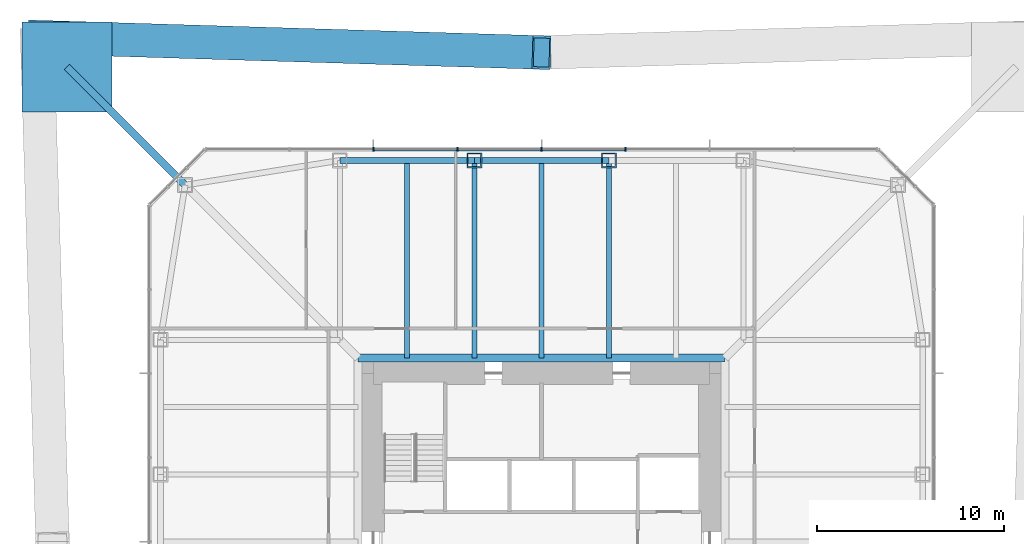
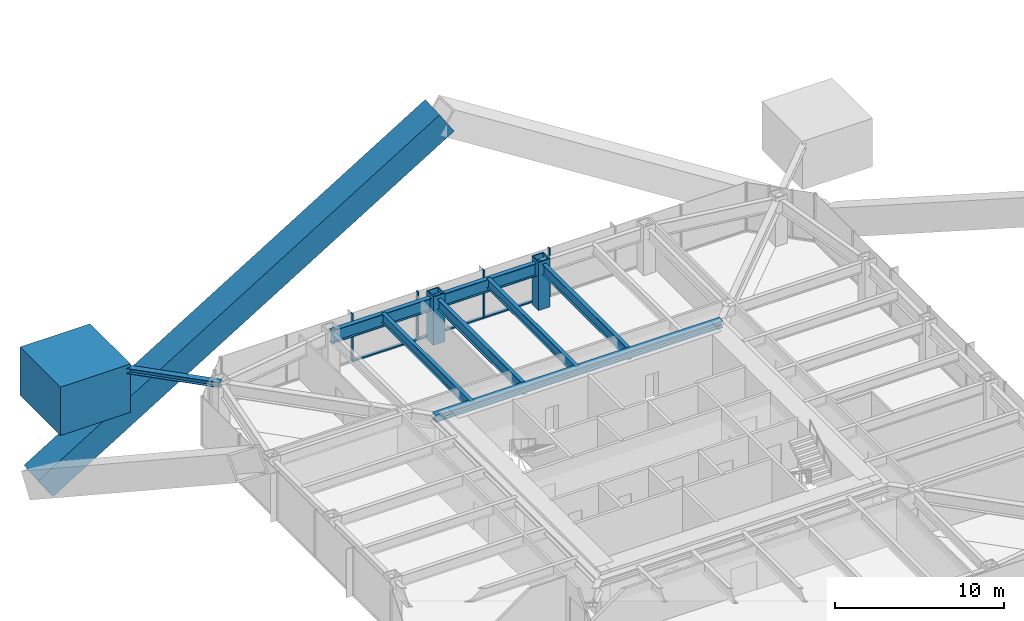
# One storey, part 5 of 21: 12 members, 7 beams, 1 element without a shape of its own.
"""IFC4 building model written with IfcOpenShell, lengths in metres."""

from ifc_helpers import new_model, si_unit, direction, frame, origin, origin_2d, place, context, subcontext, project, spatial, rectangle, hollow_rectangle, i_section, extrude, material, material_profile, profile_set, type_object, element, aggregate, save


model = new_model("IFC4")

# Units and contexts
model_context = context("Model", 3, precision=1e-05, world=origin(), true_north=direction((0.0, 1.0)))
body_context = subcontext(model_context, "Body", "Model", "MODEL_VIEW")
ifc_project = project(units=[si_unit("LENGTHUNIT", "METRE"), si_unit("AREAUNIT", "SQUARE_METRE"), si_unit("VOLUMEUNIT", "CUBIC_METRE"), si_unit("PLANEANGLEUNIT", "RADIAN"), si_unit("MASSUNIT", "GRAM", prefix="KILO")], contexts=[model_context])

# Site, building, storey
site_placement = place(None, origin())
site = spatial("IfcSite", under=ifc_project, at=site_placement, CompositionType="ELEMENT")
building_placement = place(site_placement, origin())
building = spatial("IfcBuilding", under=site, at=building_placement, Name="Iwan Alto Co-Living Towers", CompositionType="ELEMENT")
storey_placement = place(building_placement, frame((0.0, 0.0, 80.5)))
storey = spatial("IfcBuildingStorey", under=building, at=storey_placement, Name="L21", CompositionType="ELEMENT", Elevation=80.5)

# Curtain wall, members
ifc_material_1 = material(Name="Bronze aluminium unitised frame", Category="aluminium")
curtain_wall_type = type_object("IfcCurtainWallType", Name="CURTAIN WALL CW-A", PredefinedType="NOTDEFINED", material=ifc_material_1)
curtain_wall_placement = place(storey_placement, origin())
curtain_wall = element("IfcCurtainWall", 1, at=curtain_wall_placement, inside=storey, type_object=curtain_wall_type, Name="T1 curtain wall N L21", PredefinedType="NOTDEFINED")
ifc_material_2 = material(Name="Aluminium 6063-T6 bronze anodised", Category="aluminium")
ifc_material_profile_1 = material_profile(ifc_material_2, rectangle(XDim=0.199951171875, YDim=0.080078125, at=origin_2d()), Name="AL 80X200")
ifc_profile_set_1 = profile_set([ifc_material_profile_1], Name="Aluminium 6063-T6 bronze anodised")
member_type_1 = type_object("IfcMemberType", Name="CW-A MULLION 80X200", PredefinedType="MULLION", material=ifc_profile_set_1)
member_1_placement = place(storey_placement, frame((4.5, 21.0, 0.0), z_axis=(0.0, 0.0, 1.0), x_axis=(0.0, -1.0, 0.0)))
member_1 = element("IfcMember", 2, at=member_1_placement, type_object=member_type_1, Name="CW-A mullion 4", PredefinedType="MULLION", context=body_context, shape_type="SweptSolid", body=[
    extrude(rectangle(XDim=0.199951171875, YDim=0.080078125, at=origin_2d()), origin(), (0.0, 0.0, 1.0), 3.5),
])
member_2_placement = place(storey_placement, frame((0.0, 21.0, 0.0), z_axis=(0.0, 0.0, 1.0), x_axis=(0.0, -1.0, 0.0)))
member_2 = element("IfcMember", 3, at=member_2_placement, type_object=member_type_1, Name="CW-A mullion 5", PredefinedType="MULLION", context=body_context, shape_type="SweptSolid", body=[
    extrude(rectangle(XDim=0.199951171875, YDim=0.080078125, at=origin_2d()), origin(), (0.0, 0.0, 1.0), 3.5),
])
member_3_placement = place(storey_placement, frame((-4.5, 21.0, 0.0), z_axis=(0.0, 0.0, 1.0), x_axis=(0.0, -1.0, 0.0)))
member_3 = element("IfcMember", 4, at=member_3_placement, type_object=member_type_1, Name="CW-A mullion 6", PredefinedType="MULLION", context=body_context, shape_type="SweptSolid", body=[
    extrude(rectangle(XDim=0.199951171875, YDim=0.080078125, at=origin_2d()), origin(), (0.0, 0.0, 1.0), 3.5),
])
member_4_placement = place(storey_placement, frame((-9.0, 21.0, 0.0), z_axis=(0.0, 0.0, 1.0), x_axis=(0.0, -1.0, 0.0)))
member_4 = element("IfcMember", 5, at=member_4_placement, type_object=member_type_1, Name="CW-A mullion 7", PredefinedType="MULLION", context=body_context, shape_type="SweptSolid", body=[
    extrude(rectangle(XDim=0.199951171875, YDim=0.080078125, at=origin_2d()), origin(), (0.0, 0.0, 1.0), 3.5),
])
ifc_material_3 = material(Name="Aluminium 6063-T6 bronze anodised", Category="aluminium")
ifc_material_profile_2 = material_profile(ifc_material_3, rectangle(XDim=0.199951171875, YDim=0.10009765625, at=origin_2d()), Name="AL 200X100")
ifc_profile_set_2 = profile_set([ifc_material_profile_2], Name="Aluminium 6063-T6 bronze anodised")
member_type_2 = type_object("IfcMemberType", Name="CW-A TRANSOM 200X100", PredefinedType="USERDEFINED", material=ifc_profile_set_2)
member_5_placement = place(storey_placement, frame((4.4599609375, 21.0, 0.050048828125), z_axis=(-1.0, 0.0, 0.0), x_axis=(0.0, -1.0, 0.0)))
member_5 = element("IfcMember", 6, at=member_5_placement, type_object=member_type_2, Name="CW-A transom 4.1", ObjectType="TRANSOM", PredefinedType="USERDEFINED", context=body_context, shape_type="SweptSolid", body=[
    extrude(rectangle(XDim=0.199951171875, YDim=0.10009765625, at=origin_2d()), origin(), (0.0, 0.0, 1.0), 4.419921875),
])
member_6_placement = place(storey_placement, frame((-0.0400390625, 21.0, 0.050048828125), z_axis=(-1.0, 0.0, 0.0), x_axis=(0.0, -1.0, 0.0)))
member_6 = element("IfcMember", 7, at=member_6_placement, type_object=member_type_2, Name="CW-A transom 5.1", ObjectType="TRANSOM", PredefinedType="USERDEFINED", context=body_context, shape_type="SweptSolid", body=[
    extrude(rectangle(XDim=0.199951171875, YDim=0.10009765625, at=origin_2d()), origin(), (0.0, 0.0, 1.0), 4.419921875),
])
member_7_placement = place(storey_placement, frame((-4.5400390625, 21.0, 0.050048828125), z_axis=(-1.0, 0.0, 0.0), x_axis=(0.0, -1.0, 0.0)))
member_7 = element("IfcMember", 8, at=member_7_placement, type_object=member_type_2, Name="CW-A transom 6.1", ObjectType="TRANSOM", PredefinedType="USERDEFINED", context=body_context, shape_type="SweptSolid", body=[
    extrude(rectangle(XDim=0.199951171875, YDim=0.10009765625, at=origin_2d()), origin(), (0.0, 0.0, 1.0), 4.419921875),
])
aggregate(curtain_wall, [member_1, member_2, member_3, member_4, member_5, member_6, member_7])

# Beams
ifc_material_4 = material(Name="Steel ASTM A992 Gr 50", Category="steel")
ifc_material_profile_3 = material_profile(ifc_material_4, i_section(OverallWidth=0.436767578125, OverallDepth=0.51318359375, WebThickness=0.060546875, FlangeThickness=0.096923828125, at=origin_2d()), Name="W14X550")
ifc_profile_set_3 = profile_set([ifc_material_profile_3], Name="Steel ASTM A992 Gr 50")
beam_type_1 = type_object("IfcBeamType", Name="T1 CORE LEDGER BEAM W14X550", PredefinedType="BEAM", material=ifc_profile_set_3)
beam_1_placement = place(storey_placement, frame((9.818359375, 9.818359375, 3.013427734375), z_axis=(-1.0, 0.0, 0.0), x_axis=(0.0, -1.0, 0.0)))
element("IfcBeam", 9, at=beam_1_placement, inside=storey, type_object=beam_type_1, Name="T1 core ledger beam N L22", PredefinedType="BEAM", context=body_context, shape_type="SweptSolid", body=[
    extrude(i_section(OverallWidth=0.436767578125, OverallDepth=0.51318359375, WebThickness=0.060546875, FlangeThickness=0.096923828125, at=origin_2d()), origin(), (0.0, 0.0, 1.0), 19.63671875),
])
ifc_material_5 = material(Name="Steel ASTM A992 Gr 50", Category="steel")
ifc_material_profile_4 = material_profile(ifc_material_5, i_section(OverallWidth=0.307373046875, OverallDepth=0.927001953125, WebThickness=0.01953125, FlangeThickness=0.031982421875, at=origin_2d()), Name="W36X194")
ifc_profile_set_4 = profile_set([ifc_material_profile_4], Name="Steel ASTM A992 Gr 50")
beam_type_2 = type_object("IfcBeamType", Name="T1 EDGE BEAM W36X194", PredefinedType="BEAM", material=ifc_profile_set_4)
beam_2_placement = place(storey_placement, frame((3.60009765625, 20.39990234375, 2.806396484375), z_axis=(-1.0, 0.0, 0.0), x_axis=(0.0, -1.0, 0.0)))
element("IfcBeam", 10, at=beam_2_placement, inside=storey, type_object=beam_type_2, Name="T1 edge beam N2 L22", PredefinedType="BEAM", context=body_context, shape_type="SweptSolid", body=[
    extrude(i_section(OverallWidth=0.307373046875, OverallDepth=0.927001953125, WebThickness=0.01953125, FlangeThickness=0.031982421875, at=origin_2d()), origin(), (0.0, 0.0, 1.0), 7.2001953125),
])
beam_3_placement = place(storey_placement, frame((-3.60009765625, 20.39990234375, 2.806396484375), z_axis=(-1.0, 0.0, 0.0), x_axis=(0.0, -1.0, 0.0)))
element("IfcBeam", 11, at=beam_3_placement, inside=storey, type_object=beam_type_2, Name="T1 edge beam N3 L22", PredefinedType="BEAM", context=body_context, shape_type="SweptSolid", body=[
    extrude(i_section(OverallWidth=0.307373046875, OverallDepth=0.927001953125, WebThickness=0.01953125, FlangeThickness=0.031982421875, at=origin_2d()), origin(), (0.0, 0.0, 1.0), 7.199951171875),
])

# Members
ifc_material_6 = material(Name="Steel ASTM A572 Gr 42", Category="steel")
ifc_material_profile_5 = material_profile(ifc_material_6, hollow_rectangle(XDim=1.800048828125, YDim=1.800048828125, WallThickness=0.1298828125, at=origin_2d()), Name="BOX 1800X1800X130")
ifc_profile_set_5 = profile_set([ifc_material_profile_5], Name="Steel ASTM A572 Gr 42")
member_type_3 = type_object("IfcMemberType", Name="T1 MEGA BRACE BOX 1800X1800X130", PredefinedType="BRACE", material=ifc_profile_set_5)
member_8_placement = place(storey_placement, frame((-27.0, 27.0, -6.0), z_axis=(0.8386077526, -0.0256074434, 0.544133527842), x_axis=(0.03052143643, 0.999534112434, 0.0)))
element("IfcMember", 12, at=member_8_placement, inside=storey, type_object=member_type_3, Name="T1 mega brace Z2A N 2 lower", PredefinedType="BRACE", context=body_context, shape_type="SweptSolid", body=[
    extrude(hollow_rectangle(XDim=1.800048828125, YDim=1.800048828125, WallThickness=0.1298828125, at=origin_2d()), origin(), (0.0, 0.0, 1.0), 32.1962890625),
])
ifc_material_7 = material(Name="Steel ASTM A992 Gr 50", Category="steel")
ifc_material_profile_6 = material_profile(ifc_material_7, i_section(OverallWidth=0.393798828125, OverallDepth=0.3759765625, WebThickness=0.017333984375, FlangeThickness=0.027587890625, at=origin_2d()), Name="W14X145")
ifc_profile_set_6 = profile_set([ifc_material_profile_6], Name="Steel ASTM A992 Gr 50")
member_type_4 = type_object("IfcMemberType", Name="T1 MEGA COLUMN FLOOR TIE W14X145", PredefinedType="STRUT", material=ifc_profile_set_6)
member_9_placement = place(storey_placement, frame((-25.39990234375, 25.39990234375, 3.08203125), z_axis=(0.707106781187, -0.707106781187, 0.0), x_axis=(0.707106781187, 0.707106781187, 0.0)))
element("IfcMember", 13, at=member_9_placement, inside=storey, type_object=member_type_4, Name="T1 mega column floor tie NW L22", PredefinedType="STRUT", context=body_context, shape_type="SweptSolid", body=[
    extrude(i_section(OverallWidth=0.393798828125, OverallDepth=0.3759765625, WebThickness=0.017333984375, FlangeThickness=0.027587890625, at=origin_2d()), origin(), (0.0, 0.0, 1.0), 8.94384765625),
])
ifc_material_8 = material(Name="Concrete f'c 70 MPa", Category="concrete")
ifc_material_profile_7 = material_profile(ifc_material_8, rectangle(XDim=4.800048828125, YDim=4.800048828125, at=origin_2d()), Name="RC 4800X4800")
ifc_profile_set_7 = profile_set([ifc_material_profile_7], Name="Concrete f'c 70 MPa")
member_type_5 = type_object("IfcMemberType", Name="T1 MEGA POST AT STEP RC 4800X4800", PredefinedType="MEMBER", material=ifc_profile_set_7)
member_10_placement = place(storey_placement, frame((-25.39990234375, 25.39990234375, 0.0), z_axis=(0.0, 0.0, 1.0), x_axis=(1.0, 0.0, 0.0)))
element("IfcMember", 14, at=member_10_placement, inside=storey, type_object=member_type_5, Name="T1 mega post at step NW L21", PredefinedType="MEMBER", context=body_context, shape_type="SweptSolid", body=[
    extrude(rectangle(XDim=4.800048828125, YDim=4.800048828125, at=origin_2d()), origin(), (0.0, 0.0, 1.0), 3.5),
    extrude(i_section(OverallWidth=0.4775390625, OverallDepth=0.599365234375, WebThickness=0.10009765625, FlangeThickness=0.139892578125, at=origin_2d()), origin(), (0.0, 0.0, 1.0), 3.5),
])

# Beams
ifc_material_9 = material(Name="Steel ASTM A992 Gr 50", Category="steel")
ifc_material_profile_8 = material_profile(ifc_material_9, i_section(OverallWidth=0.2666015625, OverallDepth=0.761962890625, WebThickness=0.014404296875, FlangeThickness=0.021484375, at=origin_2d()), Name="W30X116")
ifc_profile_set_8 = profile_set([ifc_material_profile_8], Name="Steel ASTM A992 Gr 50")
beam_type_3 = type_object("IfcBeamType", Name="T1 RADIAL BEAM W30X116", PredefinedType="BEAM", material=ifc_profile_set_8)
for number, where, z_axis, x_axis, name in (
    (15, (3.60009765625, 20.39990234375, 2.888916015625), (0.0, -1.0, 0.0), (1.0, 0.0, 0.0), "T1 radial beam N2 L22"),
    (16, (-3.60009765625, 20.39990234375, 2.888916015625), (0.0, -1.0, 0.0), (1.0, 0.0, 0.0), "T1 radial beam N3 L22"),
):
    element("IfcBeam", number, at=place(storey_placement, frame(where, z_axis=z_axis, x_axis=x_axis)), inside=storey, type_object=beam_type_3, Name=name, PredefinedType="BEAM", context=body_context, shape_type="SweptSolid", body=[
        extrude(i_section(OverallWidth=0.2666015625, OverallDepth=0.761962890625, WebThickness=0.014404296875, FlangeThickness=0.021484375, at=origin_2d()), origin(), (0.0, 0.0, 1.0), 10.58154296875),
    ])

# Members
ifc_material_10 = material(Name="Steel ASTM A572 Gr 50", Category="steel")
ifc_material_profile_9 = material_profile(ifc_material_10, hollow_rectangle(XDim=0.800048828125, YDim=0.800048828125, WallThickness=0.070068359375, at=origin_2d()), Name="BOX 800X800X70")
ifc_profile_set_9 = profile_set([ifc_material_profile_9], Name="Steel ASTM A572 Gr 50")
member_type_6 = type_object("IfcMemberType", Name="T1 RING POST AT STEP BOX 800X800X70", PredefinedType="MEMBER", material=ifc_profile_set_9)
for number, where, z_axis, x_axis, name in (
    (17, (3.60009765625, 20.39990234375, 0.0), (0.0, 0.0, 1.0), (1.0, 0.0, 0.0), "T1 ring post at step N2 L21"),
    (18, (-3.60009765625, 20.39990234375, 0.0), (0.0, 0.0, 1.0), (1.0, 0.0, 0.0), "T1 ring post at step N3 L21"),
):
    element("IfcMember", number, at=place(storey_placement, frame(where, z_axis=z_axis, x_axis=x_axis)), inside=storey, type_object=member_type_6, Name=name, PredefinedType="MEMBER", context=body_context, shape_type="SweptSolid", body=[
        extrude(hollow_rectangle(XDim=0.800048828125, YDim=0.800048828125, WallThickness=0.070068359375, at=origin_2d()), origin(), (0.0, 0.0, 1.0), 3.5),
    ])

# Beams
ifc_material_11 = material(Name="Steel ASTM A992 Gr 50", Category="steel")
ifc_material_profile_10 = material_profile(ifc_material_11, i_section(OverallWidth=0.25390625, OverallDepth=0.683349609375, WebThickness=0.012451171875, FlangeThickness=0.018798828125, at=origin_2d()), Name="W27X94")
ifc_profile_set_10 = profile_set([ifc_material_profile_10], Name="Steel ASTM A992 Gr 50")
beam_type_4 = type_object("IfcBeamType", Name="T1 SECONDARY BEAM W27X94", PredefinedType="JOIST", material=ifc_profile_set_10)
for number, where, z_axis, x_axis, name in (
    (19, (0.0, 20.39990234375, 2.928466796875), (0.0, -1.0, 0.0), (1.0, 0.0, 0.0), "T1 secondary beam N2 L22"),
    (20, (-7.199951171875, 20.39990234375, 2.928466796875), (0.0, -1.0, 0.0), (1.0, 0.0, 0.0), "T1 secondary beam N3 L22"),
):
    element("IfcBeam", number, at=place(storey_placement, frame(where, z_axis=z_axis, x_axis=x_axis)), inside=storey, type_object=beam_type_4, Name=name, PredefinedType="JOIST", context=body_context, shape_type="SweptSolid", body=[
        extrude(i_section(OverallWidth=0.25390625, OverallDepth=0.683349609375, WebThickness=0.012451171875, FlangeThickness=0.018798828125, at=origin_2d()), origin(), (0.0, 0.0, 1.0), 10.58154296875),
    ])

save(model, "model.ifc")
